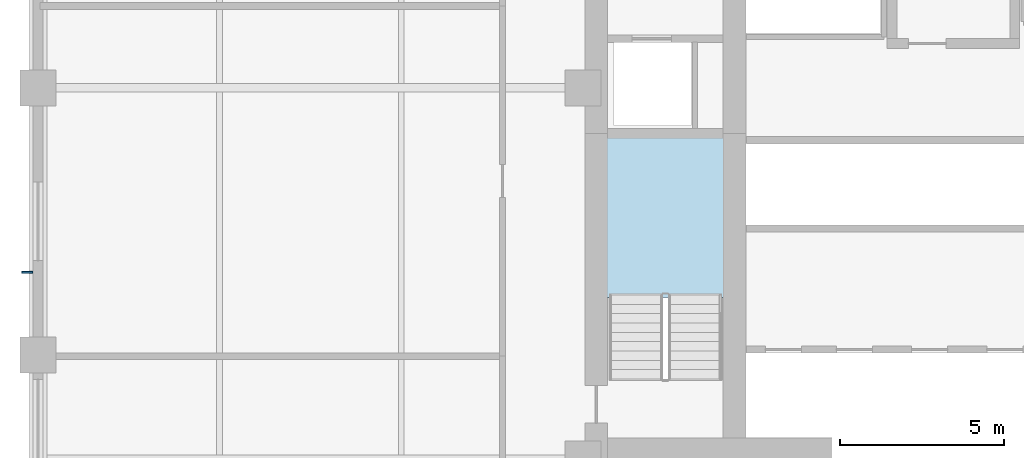
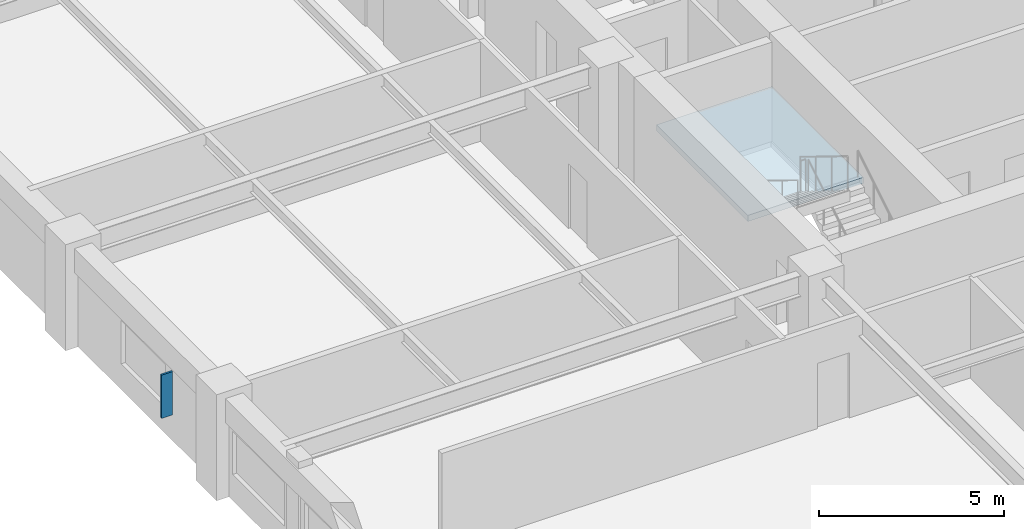
# One storey, part 4 of 13: 1 plate, 1 slab, 1 element without a shape of its own.
"""IFC4 building model written with IfcOpenShell, lengths in metres."""

from ifc_helpers import new_model, si_unit, direction, frame, origin, origin_2d, place, context, subcontext, project, spatial, polyline, rectangle, outline, extrude, material, layer, layer_set, type_object, element, aggregate, save


model = new_model("IFC4")

# Units and contexts
model_context = context("Model", 3, precision=1e-05, world=origin(), true_north=direction((0.0, 1.0)))
body_context = subcontext(model_context, "Body", "Model", "MODEL_VIEW")
ifc_project = project(units=[si_unit("LENGTHUNIT", "METRE"), si_unit("AREAUNIT", "SQUARE_METRE"), si_unit("VOLUMEUNIT", "CUBIC_METRE"), si_unit("PLANEANGLEUNIT", "RADIAN"), si_unit("MASSUNIT", "GRAM", prefix="KILO")], contexts=[model_context])

# Site, building, storey
site_placement = place(None, origin())
site = spatial("IfcSite", under=ifc_project, at=site_placement, CompositionType="ELEMENT")
building_placement = place(site_placement, origin())
building = spatial("IfcBuilding", under=site, at=building_placement, Name="Nhamokura Convention Tower", CompositionType="ELEMENT")
storey_placement = place(building_placement, frame((0.0, 0.0, 92.75)))
storey = spatial("IfcBuildingStorey", under=building, at=storey_placement, Name="L22", CompositionType="ELEMENT", Elevation=92.75)

# Plate
ifc_material_1 = material(Name="Anodised bronze aluminium AA6063-T6", Category="aluminium")
plate_type = type_object("IfcPlateType", Name="BronzeSolarFin_1", PredefinedType="USERDEFINED", material=ifc_material_1)
plate_placement = place(storey_placement, frame((3.669921875, 26.36669921875, 0.85009765625), z_axis=(0.0, 0.0, 1.0), x_axis=(1.0, 0.0, 0.0)))
element("IfcPlate", 1, at=plate_placement, inside=storey, type_object=plate_type, Name="L22 Bronze Solar Shading Fin WEST 2", ObjectType="SOLAR_FIN", PredefinedType="USERDEFINED", context=body_context, shape_type="SweptSolid", body=[
    extrude(rectangle(XDim=0.340087890625, YDim=0.06005859375, at=origin_2d()), origin(), (0.0, 0.0, 1.0), 1.429931640625),
])

# Stair, slab
ifc_material_2 = material(Name="Concrete C40/50", Category="concrete")
stair_type = type_object("IfcStairType", Name="TowerCoreStair_1650", PredefinedType="HALF_TURN_STAIR", material=ifc_material_2)
stair_placement = place(storey_placement, origin())
stair = element("IfcStair", 2, at=stair_placement, inside=storey, type_object=stair_type, Name="L22 West Core Smokeproof Stair ST-01", PredefinedType="HALF_TURN_STAIR")
ifc_material_3 = material(Name="Concrete C40/50", Category="concrete")
ifc_layer = layer(ifc_material_3, 0.199951171875)
ifc_layer_set = layer_set([ifc_layer], Name="StairLandingSlab_200")
slab_type = type_object("IfcSlabType", Name="StairLandingSlab_200", PredefinedType="LANDING", material=ifc_layer_set)
slab_placement = place(storey_placement, frame((0.0, 0.0, 1.550048828125)))
slab = element("IfcSlab", 3, at=slab_placement, type_object=slab_type, Name="ST-01 landing 1", PredefinedType="LANDING", context=body_context, shape_type="SweptSolid", body=[
    extrude(outline(polyline([(24.97998046875, 25.5849609375), (24.97998046875, 30.530029296875), (21.3701171875, 30.530029296875), (21.3701171875, 25.5849609375), (24.97998046875, 25.5849609375)])), origin(), (0.0, 0.0, 1.0), 0.199951171875),
])
aggregate(stair, [slab])

save(model, "model.ifc")
